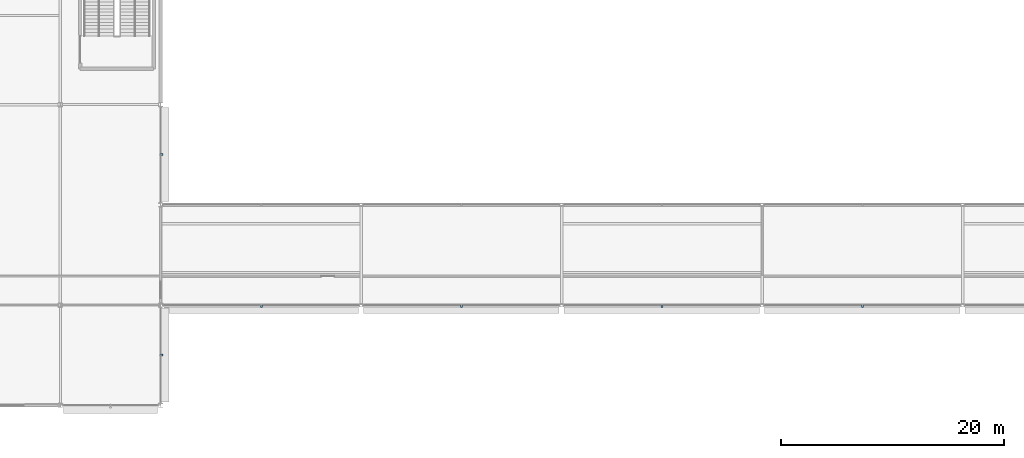
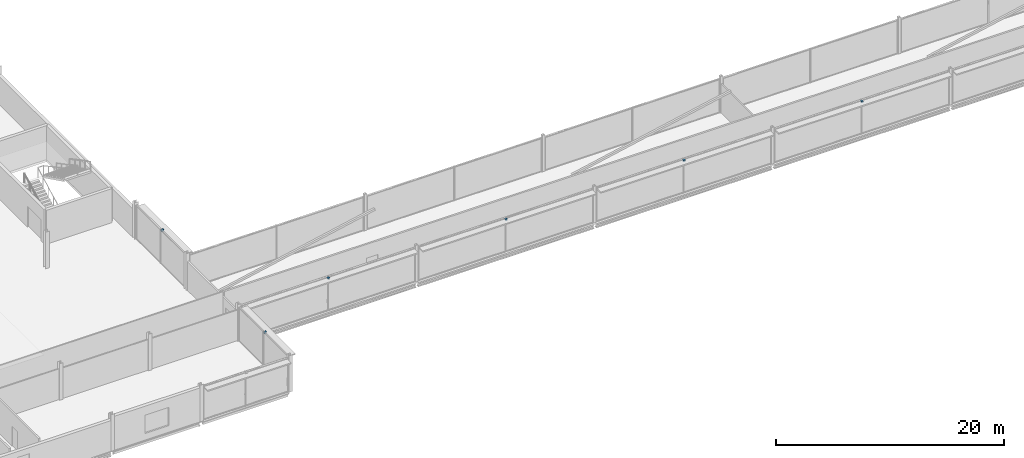
# One storey, part 71 of 98: 6 discrete accessories.
"""IFC4 building model written with IfcOpenShell, lengths in metres."""

import ifcopenshell
import ifcopenshell.guid

model = None  # the IFC model being written
_history = None  # IfcOwnerHistory: only IFC2X3 demands one
_inside = {}  # id of a spatial element -> (the spatial element, [elements in it])
_under = {}  # id of a project, library or spatial element -> (it, [spatial elements below it])
_declared = {}  # id of a project -> (the project, [libraries it declares])
_typed = {}  # id of a type object -> (the type object, [elements of that type])
_made_of = {}  # id of a material, layer set ... -> (it, [elements and type objects made of it])


def new_model(schema):
    """Start an empty IFC model of exactly this schema.

    Asked for "IFC4X3", IfcOpenShell would pick the latest addendum, in which some entities
    have other attributes; the version numbers below select the first issue.
    IFC2X3 requires an IfcOwnerHistory on every rooted entity: one is made here for all.
    """
    global model, _history
    if schema == "IFC4X3":
        model = ifcopenshell.file(schema_version=(4, 3, 0, 0))
    else:
        model = ifcopenshell.file(schema=schema)
    _inside.clear()
    _under.clear()
    _declared.clear()
    _typed.clear()
    _made_of.clear()
    _history = None
    if model.schema == "IFC2X3":
        org = make("IfcOrganization", Name="unknown")
        user = make(
            "IfcPersonAndOrganization",
            ThePerson=make("IfcPerson", FamilyName="unknown"),
            TheOrganization=org,
        )
        app = make(
            "IfcApplication",
            ApplicationDeveloper=org,
            Version="unknown",
            ApplicationFullName="unknown",
            ApplicationIdentifier="unknown",
        )
        _history = make(
            "IfcOwnerHistory",
            OwningUser=user,
            OwningApplication=app,
            ChangeAction="ADDED",
            CreationDate=0,
        )
    return model


def make(cls, **values):
    """One entity of the class cls with the attributes given. An attribute that is None is left unset."""
    return model.create_entity(
        cls, **{name: value for name, value in values.items() if value is not None}
    )


def rooted(cls, **values):
    """An entity with a GlobalId (a new one), such as an element, a storey or a relation."""
    return make(cls, GlobalId=ifcopenshell.guid.new(), OwnerHistory=_history, **values)


def si_unit(unit_type, name, prefix=None):
    """IfcSIUnit, for example si_unit("LENGTHUNIT", "METRE", prefix="MILLI")."""
    return make("IfcSIUnit", UnitType=unit_type, Prefix=prefix, Name=name)


def assignment(units):
    """IfcUnitAssignment: the units of a project."""
    return None if units is None else make("IfcUnitAssignment", Units=units)


def point(xyz):
    """IfcCartesianPoint."""
    return None if xyz is None else make("IfcCartesianPoint", Coordinates=xyz)


def direction(xyz):
    """IfcDirection."""
    return None if xyz is None else make("IfcDirection", DirectionRatios=xyz)


def frame(location, z_axis=None, x_axis=None):
    """IfcAxis2Placement3D, a coordinate frame: its origin and axes. An axis left out is left unset."""
    return make(
        "IfcAxis2Placement3D",
        Location=point(location),
        Axis=direction(z_axis),
        RefDirection=direction(x_axis),
    )


def frame_2d(location, x_axis=None):
    """IfcAxis2Placement2D, a coordinate frame in the plane: its origin and x axis."""
    return make(
        "IfcAxis2Placement2D", Location=point(location), RefDirection=direction(x_axis)
    )


def origin():
    """The frame at (0, 0, 0) with its axes left unset."""
    return frame((0.0, 0.0, 0.0))


def origin_2d():
    """The frame at (0, 0) in the plane with its x axis left unset."""
    return frame_2d((0.0, 0.0))


def place(relative_to, where):
    """IfcLocalPlacement: puts the frame where relative to a parent placement (None: the world)."""
    return make(
        "IfcLocalPlacement", PlacementRelTo=relative_to, RelativePlacement=where
    )


def context(
    kind, dimensions, precision=None, world=None, true_north=None, identifier=None
):
    """IfcGeometricRepresentationContext, for example the 3D "Model" context."""
    return make(
        "IfcGeometricRepresentationContext",
        ContextIdentifier=identifier,
        ContextType=kind,
        CoordinateSpaceDimension=dimensions,
        Precision=precision,
        WorldCoordinateSystem=world,
        TrueNorth=true_north,
    )


def subcontext(parent, identifier, kind, view, scale=None):
    """IfcGeometricRepresentationSubContext, for example "Body" below "Model"."""
    return make(
        "IfcGeometricRepresentationSubContext",
        ContextIdentifier=identifier,
        ContextType=kind,
        ParentContext=parent,
        TargetScale=scale,
        TargetView=view,
    )


def project(units=None, contexts=None):
    """IfcProject with its units and contexts."""
    return rooted(
        "IfcProject",
        Name="project",
        RepresentationContexts=contexts,
        UnitsInContext=assignment(units),
    )


def spatial(cls, under=None, at=None, **own):
    """A site, building, storey or space (cls), placed at a placement, below another one or the project."""
    s = rooted(cls, ObjectPlacement=at, **own)
    if under is not None:
        _under.setdefault(under.id(), (under, []))[1].append(s)
    return s


def profile(cls, at=None, kind="AREA", **sizes):
    """A parametric profile (cls). Its sizes go by their IFC names, for example OverallWidth=200.0."""
    return make(cls, ProfileType=kind, Position=at, **sizes)


def rectangle(**sizes):
    """IfcRectangleProfileDef."""
    return profile("IfcRectangleProfileDef", **sizes)


def extrude(swept, where, along, depth):
    """IfcExtrudedAreaSolid: the profile swept, set in the frame where, extruded along a direction by depth."""
    return make(
        "IfcExtrudedAreaSolid",
        SweptArea=swept,
        Position=where,
        ExtrudedDirection=direction(along),
        Depth=depth,
    )


def shape(context_of_items, identifier, shape_type, items):
    """IfcShapeRepresentation: the items that make up one representation, for example the "Body"."""
    return make(
        "IfcShapeRepresentation",
        ContextOfItems=context_of_items,
        RepresentationIdentifier=identifier,
        RepresentationType=shape_type,
        Items=items,
    )


def material(Name=None, Category=None):
    """IfcMaterial."""
    return make("IfcMaterial", Name=Name, Category=Category)


def made_of(thing, what):
    """Note that an element or type object is made of a material, layer set ...; save() writes the relation."""
    if what is not None:
        _made_of.setdefault(what.id(), (what, []))[1].append(thing)
    return thing


def type_object(cls, material=None, **own):
    """A type object (cls), such as IfcWallType, which elements share."""
    return made_of(rooted(cls, **own), material)


def element(
    cls,
    number,
    at=None,
    inside=None,
    cuts=None,
    type_object=None,
    material=None,
    context=None,
    identifier="Body",
    shape_type=None,
    held_by="IfcProductDefinitionShape",
    body=None,
    shapes=None,
    **own,
):
    """One element of the class cls, such as IfcWall. Its Tag is "e" and its number.

    at: its placement. inside: the storey or other place that contains it. cuts: it is an
    opening in that element (IfcRelVoidsElement). A single representation is given by context,
    identifier, shape_type and body (its items); several are given by shapes. held_by: the class
    of the entity that holds the representations. save() writes the other relations.
    """
    e = rooted(cls, Tag="e%d" % number, ObjectPlacement=at, **own)
    if body is not None:
        shapes = [shape(context, identifier, shape_type, body)]
    if shapes is not None:
        e.Representation = make(held_by, Representations=shapes)
    if inside is not None:
        _inside.setdefault(inside.id(), (inside, []))[1].append(e)
    if cuts is not None:
        rooted(
            "IfcRelVoidsElement", RelatingBuildingElement=cuts, RelatedOpeningElement=e
        )
    if type_object is not None:
        _typed.setdefault(type_object.id(), (type_object, []))[1].append(e)
    return made_of(e, material)


def aggregate(whole, parts):
    """IfcRelAggregates: a whole, such as a stair, and the parts it consists of."""
    return rooted("IfcRelAggregates", RelatingObject=whole, RelatedObjects=parts)


def save(model, path):
    """Write the relations noted so far, then the file.

    IfcRelAggregates (storeys below a building ...), IfcRelContainedInSpatialStructure (elements
    in a storey), IfcRelDefinesByType, IfcRelAssociatesMaterial and IfcRelDeclares: one each for
    every whole, place, type object, material and project.
    """
    for whole, parts in _under.values():
        aggregate(whole, parts)
    for where, things in _inside.values():
        rooted(
            "IfcRelContainedInSpatialStructure",
            RelatedElements=things,
            RelatingStructure=where,
        )
    for kind, things in _typed.values():
        rooted("IfcRelDefinesByType", RelatedObjects=things, RelatingType=kind)
    for what, things in _made_of.values():
        rooted("IfcRelAssociatesMaterial", RelatedObjects=things, RelatingMaterial=what)
    for by, libraries in _declared.values():
        rooted("IfcRelDeclares", RelatingContext=by, RelatedDefinitions=libraries)
    model.write(path)


model = new_model("IFC4")

# Units and contexts
model_context = context("Model", 3, precision=1e-05, world=origin(), true_north=direction((0.0, 1.0)))
body_context = subcontext(model_context, "Body", "Model", "MODEL_VIEW")
ifc_project = project(units=[si_unit("LENGTHUNIT", "METRE"), si_unit("AREAUNIT", "SQUARE_METRE"), si_unit("VOLUMEUNIT", "CUBIC_METRE"), si_unit("PLANEANGLEUNIT", "RADIAN"), si_unit("MASSUNIT", "GRAM", prefix="KILO")], contexts=[model_context])

# Site, building, storey
site_placement = place(None, origin())
site = spatial("IfcSite", under=ifc_project, at=site_placement, CompositionType="ELEMENT")
building_placement = place(site_placement, origin())
building = spatial("IfcBuilding", under=site, at=building_placement, Name="Kisiwana Market Hall", CompositionType="ELEMENT")
storey_placement = place(building_placement, frame((0.0, 0.0, 29.39990234375)))
storey = spatial("IfcBuildingStorey", under=building, at=storey_placement, Name="L06", CompositionType="ELEMENT", Elevation=29.39990234375)

# Discrete accessories
ifc_material = material(Name="Steel S355", Category="steel")
discrete_accessory_type = type_object("IfcDiscreteAccessoryType", Name="ACC-BRACKET-STL", PredefinedType="BRACKET", material=ifc_material)
for number, where, z_axis, x_axis, name in (
    (1, (54.030029296875, 17.889892578125, 3.41015625), (0.0, 0.0, 1.0), (1.0, 0.0, 0.0), "Sunshade steel bracket BRK-104"),
    (2, (72.0, 17.889892578125, 3.41015625), (0.0, 0.0, 1.0), (1.0, 0.0, 0.0), "Sunshade steel bracket BRK-105"),
    (3, (90.0, 17.889892578125, 3.41015625), (0.0, 0.0, 1.0), (1.0, 0.0, 0.0), "Sunshade steel bracket BRK-106"),
    (4, (108.0, 17.889892578125, 3.41015625), (0.0, 0.0, 1.0), (1.0, 0.0, 0.0), "Sunshade steel bracket BRK-107"),
    (5, (45.110107421875, 13.5, 3.41015625), (0.0, 0.0, 1.0), (0.0, 1.0, 0.0), "Sunshade steel bracket BRK-117"),
    (6, (45.110107421875, 31.5, 3.41015625), (0.0, 0.0, 1.0), (0.0, 1.0, 0.0), "Sunshade steel bracket BRK-118"),
):
    element("IfcDiscreteAccessory", number, at=place(storey_placement, frame(where, z_axis=z_axis, x_axis=x_axis)), inside=storey, type_object=discrete_accessory_type, Name=name, PredefinedType="BRACKET", context=body_context, shape_type="SweptSolid", body=[
        extrude(rectangle(XDim=0.179931640625, YDim=0.239990234375, at=origin_2d()), origin(), (0.0, 0.0, 1.0), 0.179931640625),
    ])

save(model, "model.ifc")
